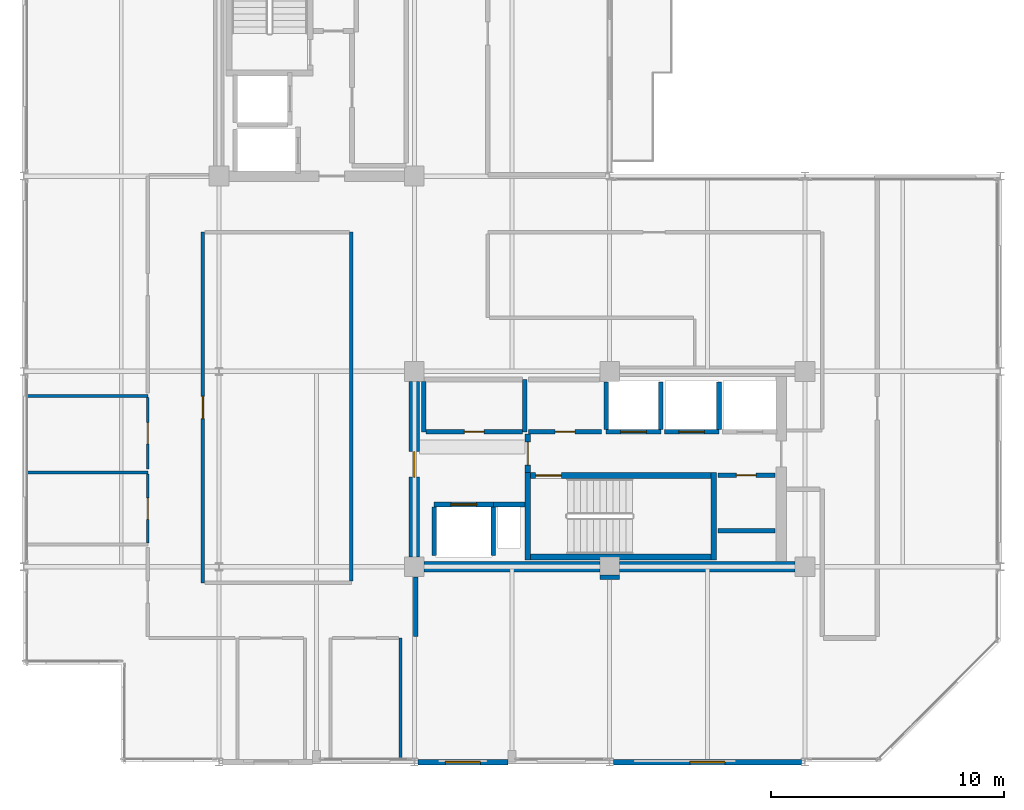
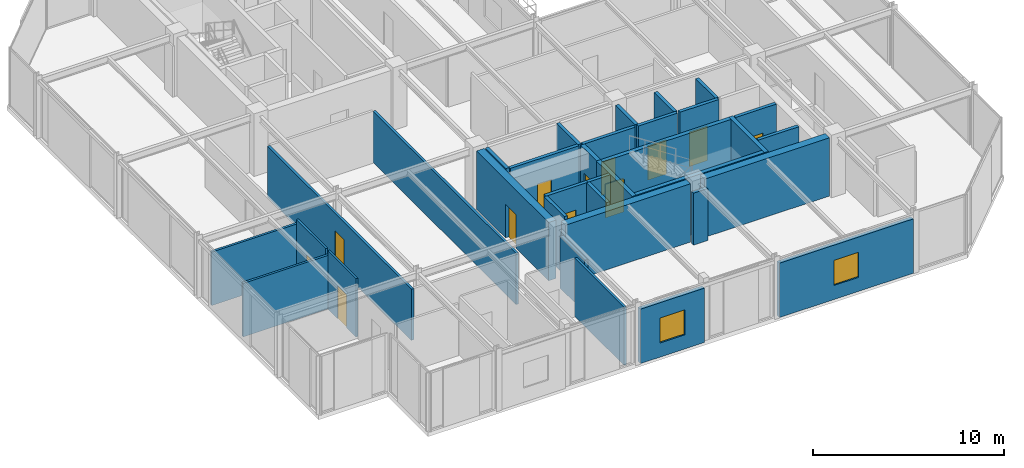
# One storey, part 21 of 26: 34 walls, 12 doors, 2 windows, 14 openings.
"""IFC4 building model written with IfcOpenShell, lengths in metres."""

import ifcopenshell
import ifcopenshell.guid

model = None  # the IFC model being written
_history = None  # IfcOwnerHistory: only IFC2X3 demands one
_inside = {}  # id of a spatial element -> (the spatial element, [elements in it])
_under = {}  # id of a project, library or spatial element -> (it, [spatial elements below it])
_declared = {}  # id of a project -> (the project, [libraries it declares])
_typed = {}  # id of a type object -> (the type object, [elements of that type])
_made_of = {}  # id of a material, layer set ... -> (it, [elements and type objects made of it])


def new_model(schema):
    """Start an empty IFC model of exactly this schema.

    Asked for "IFC4X3", IfcOpenShell would pick the latest addendum, in which some entities
    have other attributes; the version numbers below select the first issue.
    IFC2X3 requires an IfcOwnerHistory on every rooted entity: one is made here for all.
    """
    global model, _history
    if schema == "IFC4X3":
        model = ifcopenshell.file(schema_version=(4, 3, 0, 0))
    else:
        model = ifcopenshell.file(schema=schema)
    _inside.clear()
    _under.clear()
    _declared.clear()
    _typed.clear()
    _made_of.clear()
    _history = None
    if model.schema == "IFC2X3":
        org = make("IfcOrganization", Name="unknown")
        user = make(
            "IfcPersonAndOrganization",
            ThePerson=make("IfcPerson", FamilyName="unknown"),
            TheOrganization=org,
        )
        app = make(
            "IfcApplication",
            ApplicationDeveloper=org,
            Version="unknown",
            ApplicationFullName="unknown",
            ApplicationIdentifier="unknown",
        )
        _history = make(
            "IfcOwnerHistory",
            OwningUser=user,
            OwningApplication=app,
            ChangeAction="ADDED",
            CreationDate=0,
        )
    return model


def make(cls, **values):
    """One entity of the class cls with the attributes given. An attribute that is None is left unset."""
    return model.create_entity(
        cls, **{name: value for name, value in values.items() if value is not None}
    )


def rooted(cls, **values):
    """An entity with a GlobalId (a new one), such as an element, a storey or a relation."""
    return make(cls, GlobalId=ifcopenshell.guid.new(), OwnerHistory=_history, **values)


def si_unit(unit_type, name, prefix=None):
    """IfcSIUnit, for example si_unit("LENGTHUNIT", "METRE", prefix="MILLI")."""
    return make("IfcSIUnit", UnitType=unit_type, Prefix=prefix, Name=name)


def assignment(units):
    """IfcUnitAssignment: the units of a project."""
    return None if units is None else make("IfcUnitAssignment", Units=units)


def point(xyz):
    """IfcCartesianPoint."""
    return None if xyz is None else make("IfcCartesianPoint", Coordinates=xyz)


def direction(xyz):
    """IfcDirection."""
    return None if xyz is None else make("IfcDirection", DirectionRatios=xyz)


def frame(location, z_axis=None, x_axis=None):
    """IfcAxis2Placement3D, a coordinate frame: its origin and axes. An axis left out is left unset."""
    return make(
        "IfcAxis2Placement3D",
        Location=point(location),
        Axis=direction(z_axis),
        RefDirection=direction(x_axis),
    )


def frame_2d(location, x_axis=None):
    """IfcAxis2Placement2D, a coordinate frame in the plane: its origin and x axis."""
    return make(
        "IfcAxis2Placement2D", Location=point(location), RefDirection=direction(x_axis)
    )


def origin():
    """The frame at (0, 0, 0) with its axes left unset."""
    return frame((0.0, 0.0, 0.0))


def place(relative_to, where):
    """IfcLocalPlacement: puts the frame where relative to a parent placement (None: the world)."""
    return make(
        "IfcLocalPlacement", PlacementRelTo=relative_to, RelativePlacement=where
    )


def context(
    kind, dimensions, precision=None, world=None, true_north=None, identifier=None
):
    """IfcGeometricRepresentationContext, for example the 3D "Model" context."""
    return make(
        "IfcGeometricRepresentationContext",
        ContextIdentifier=identifier,
        ContextType=kind,
        CoordinateSpaceDimension=dimensions,
        Precision=precision,
        WorldCoordinateSystem=world,
        TrueNorth=true_north,
    )


def subcontext(parent, identifier, kind, view, scale=None):
    """IfcGeometricRepresentationSubContext, for example "Body" below "Model"."""
    return make(
        "IfcGeometricRepresentationSubContext",
        ContextIdentifier=identifier,
        ContextType=kind,
        ParentContext=parent,
        TargetScale=scale,
        TargetView=view,
    )


def project(units=None, contexts=None):
    """IfcProject with its units and contexts."""
    return rooted(
        "IfcProject",
        Name="project",
        RepresentationContexts=contexts,
        UnitsInContext=assignment(units),
    )


def spatial(cls, under=None, at=None, **own):
    """A site, building, storey or space (cls), placed at a placement, below another one or the project."""
    s = rooted(cls, ObjectPlacement=at, **own)
    if under is not None:
        _under.setdefault(under.id(), (under, []))[1].append(s)
    return s


def profile(cls, at=None, kind="AREA", **sizes):
    """A parametric profile (cls). Its sizes go by their IFC names, for example OverallWidth=200.0."""
    return make(cls, ProfileType=kind, Position=at, **sizes)


def rectangle(**sizes):
    """IfcRectangleProfileDef."""
    return profile("IfcRectangleProfileDef", **sizes)


def extrude(swept, where, along, depth):
    """IfcExtrudedAreaSolid: the profile swept, set in the frame where, extruded along a direction by depth."""
    return make(
        "IfcExtrudedAreaSolid",
        SweptArea=swept,
        Position=where,
        ExtrudedDirection=direction(along),
        Depth=depth,
    )


def shape(context_of_items, identifier, shape_type, items):
    """IfcShapeRepresentation: the items that make up one representation, for example the "Body"."""
    return make(
        "IfcShapeRepresentation",
        ContextOfItems=context_of_items,
        RepresentationIdentifier=identifier,
        RepresentationType=shape_type,
        Items=items,
    )


def material(Name=None, Category=None):
    """IfcMaterial."""
    return make("IfcMaterial", Name=Name, Category=Category)


def layer(
    of_material, thickness, ventilated=None, Name=None, Category=None, Priority=None
):
    """IfcMaterialLayer: one layer of a wall or slab, of a material (None: an air gap)."""
    return make(
        "IfcMaterialLayer",
        Material=of_material,
        LayerThickness=thickness,
        IsVentilated=ventilated,
        Name=Name,
        Category=Category,
        Priority=Priority,
    )


def layer_set(layers, Name=None):
    """IfcMaterialLayerSet."""
    return make("IfcMaterialLayerSet", MaterialLayers=layers, LayerSetName=Name)


def made_of(thing, what):
    """Note that an element or type object is made of a material, layer set ...; save() writes the relation."""
    if what is not None:
        _made_of.setdefault(what.id(), (what, []))[1].append(thing)
    return thing


def type_object(cls, material=None, **own):
    """A type object (cls), such as IfcWallType, which elements share."""
    return made_of(rooted(cls, **own), material)


def element(
    cls,
    number,
    at=None,
    inside=None,
    cuts=None,
    type_object=None,
    material=None,
    context=None,
    identifier="Body",
    shape_type=None,
    held_by="IfcProductDefinitionShape",
    body=None,
    shapes=None,
    **own,
):
    """One element of the class cls, such as IfcWall. Its Tag is "e" and its number.

    at: its placement. inside: the storey or other place that contains it. cuts: it is an
    opening in that element (IfcRelVoidsElement). A single representation is given by context,
    identifier, shape_type and body (its items); several are given by shapes. held_by: the class
    of the entity that holds the representations. save() writes the other relations.
    """
    e = rooted(cls, Tag="e%d" % number, ObjectPlacement=at, **own)
    if body is not None:
        shapes = [shape(context, identifier, shape_type, body)]
    if shapes is not None:
        e.Representation = make(held_by, Representations=shapes)
    if inside is not None:
        _inside.setdefault(inside.id(), (inside, []))[1].append(e)
    if cuts is not None:
        rooted(
            "IfcRelVoidsElement", RelatingBuildingElement=cuts, RelatedOpeningElement=e
        )
    if type_object is not None:
        _typed.setdefault(type_object.id(), (type_object, []))[1].append(e)
    return made_of(e, material)


def fill(opening, filler):
    """IfcRelFillsElement: the door or window that sits in an opening."""
    return rooted(
        "IfcRelFillsElement",
        RelatingOpeningElement=opening,
        RelatedBuildingElement=filler,
    )


def aggregate(whole, parts):
    """IfcRelAggregates: a whole, such as a stair, and the parts it consists of."""
    return rooted("IfcRelAggregates", RelatingObject=whole, RelatedObjects=parts)


def save(model, path):
    """Write the relations noted so far, then the file.

    IfcRelAggregates (storeys below a building ...), IfcRelContainedInSpatialStructure (elements
    in a storey), IfcRelDefinesByType, IfcRelAssociatesMaterial and IfcRelDeclares: one each for
    every whole, place, type object, material and project.
    """
    for whole, parts in _under.values():
        aggregate(whole, parts)
    for where, things in _inside.values():
        rooted(
            "IfcRelContainedInSpatialStructure",
            RelatedElements=things,
            RelatingStructure=where,
        )
    for kind, things in _typed.values():
        rooted("IfcRelDefinesByType", RelatedObjects=things, RelatingType=kind)
    for what, things in _made_of.values():
        rooted("IfcRelAssociatesMaterial", RelatedObjects=things, RelatingMaterial=what)
    for by, libraries in _declared.values():
        rooted("IfcRelDeclares", RelatingContext=by, RelatedDefinitions=libraries)
    model.write(path)


model = new_model("IFC4")

# Units and contexts
model_context = context("Model", 3, precision=1e-05, world=origin(), true_north=direction((0.0, 1.0)))
body_context = subcontext(model_context, "Body", "Model", "MODEL_VIEW")
ifc_project = project(units=[si_unit("LENGTHUNIT", "METRE"), si_unit("AREAUNIT", "SQUARE_METRE"), si_unit("VOLUMEUNIT", "CUBIC_METRE"), si_unit("PLANEANGLEUNIT", "RADIAN"), si_unit("MASSUNIT", "GRAM", prefix="KILO")], contexts=[model_context])

# Site, building, storey
site_placement = place(None, origin())
site = spatial("IfcSite", under=ifc_project, at=site_placement, CompositionType="ELEMENT")
building_placement = place(site_placement, origin())
building = spatial("IfcBuilding", under=site, at=building_placement, Name="Nerrivon Quay Data Exchange", CompositionType="ELEMENT")
storey_placement = place(building_placement, frame((0.0, 0.0, 274.199951171875)))
storey = spatial("IfcBuildingStorey", under=building, at=storey_placement, Name="L65", CompositionType="ELEMENT", Elevation=274.199951171875)

# Wall, opening, window
ifc_material_1 = material(Name="Architectural terracotta precast concrete N50 (50 MPa)", Category="masonry")
ifc_layer_1 = layer(ifc_material_1, 0.239990234375)
ifc_layer_set_1 = layer_set([ifc_layer_1], Name="Architectural terracotta precast concrete N50 (50 MPa)")
wall_type_1 = type_object("IfcWallType", Name="EW-PREC-240", PredefinedType="STANDARD", material=ifc_layer_set_1)
wall_1_placement = place(storey_placement, frame((33.444580078125, 0.0, 0.0), z_axis=(0.0, 0.0, 1.0), x_axis=(-1.0, 0.0, 0.0)))
wall_1 = element("IfcWall", 1, at=wall_1_placement, inside=storey, type_object=wall_type_1, Name="L65 Podium Precast Spandrel Wall 3", PredefinedType="STANDARD", context=body_context, shape_type="SweptSolid", body=[
    extrude(rectangle(XDim=8.089111328125, YDim=0.239990234375, at=frame_2d((4.04443359375, 0.0))), origin(), (0.0, 0.0, 1.0), 3.47509765625),
])
opening_1_placement = place(wall_1_placement, frame((3.29443359375, 0.0, 0.89990234375)))
opening_1 = element("IfcOpeningElement", 2, at=opening_1_placement, cuts=wall_1, Name="Opening WN4", PredefinedType="OPENING", context=body_context, shape_type="SweptSolid", body=[
    extrude(rectangle(XDim=1.5, YDim=1.60009765625, at=frame_2d((0.75, 0.800048828125))), frame((0.0, 0.1298828125, 0.0), z_axis=(0.0, -1.0, 0.0), x_axis=(1.0, 0.0, 0.0)), (0.0, 0.0, 1.0), 0.260009765625),
])
ifc_material_2 = material(Name="Double-glazed low-E solar control glass", Category="glass")
window_type = type_object("IfcWindowType", Name="WIN-W4-1500x1600", PartitioningType="SINGLE_PANEL", PredefinedType="WINDOW", material=ifc_material_2)
window_1_placement = place(opening_1_placement, origin())
window_1 = element("IfcWindow", 3, at=window_1_placement, inside=storey, type_object=window_type, Name="L65 Solar Facade Window 3", OverallHeight=1.60009765625, OverallWidth=1.5, PartitioningType="SINGLE_PANEL", PredefinedType="WINDOW", context=body_context, shape_type="SweptSolid", body=[
    extrude(rectangle(XDim=1.5, YDim=1.60009765625, at=frame_2d((0.75, 0.800048828125))), frame((0.0, 0.030029296875, 0.0), z_axis=(0.0, -1.0, 0.0), x_axis=(1.0, 0.0, 0.0)), (0.0, 0.0, 1.0), 0.06005859375),
])
fill(opening_1, window_1)

wall_2_placement = place(storey_placement, frame((20.824951171875, 0.0, 0.0), z_axis=(0.0, 0.0, 1.0), x_axis=(-1.0, 0.0, 0.0)))
wall_2 = element("IfcWall", 4, at=wall_2_placement, inside=storey, type_object=wall_type_1, Name="L65 Podium Precast Spandrel Wall 5", PredefinedType="STANDARD", context=body_context, shape_type="SweptSolid", body=[
    extrude(rectangle(XDim=3.869384765625, YDim=0.239990234375, at=frame_2d((1.9345703125, 0.0))), origin(), (0.0, 0.0, 1.0), 3.47509765625),
])
opening_2_placement = place(wall_2_placement, frame((1.184814453125, 0.0, 0.89990234375)))
opening_2 = element("IfcOpeningElement", 5, at=opening_2_placement, cuts=wall_2, Name="Opening WN4", PredefinedType="OPENING", context=body_context, shape_type="SweptSolid", body=[
    extrude(rectangle(XDim=1.5, YDim=1.60009765625, at=frame_2d((0.75, 0.800048828125))), frame((0.0, 0.1298828125, 0.0), z_axis=(0.0, -1.0, 0.0), x_axis=(1.0, 0.0, 0.0)), (0.0, 0.0, 1.0), 0.260009765625),
])
window_2_placement = place(opening_2_placement, origin())
window_2 = element("IfcWindow", 6, at=window_2_placement, inside=storey, type_object=window_type, Name="L65 Solar Facade Window 5", OverallHeight=1.60009765625, OverallWidth=1.5, PartitioningType="SINGLE_PANEL", PredefinedType="WINDOW", context=body_context, shape_type="SweptSolid", body=[
    extrude(rectangle(XDim=1.5, YDim=1.60009765625, at=frame_2d((0.75, 0.800048828125))), frame((0.0, 0.030029296875, 0.0), z_axis=(0.0, -1.0, 0.0), x_axis=(1.0, 0.0, 0.0)), (0.0, 0.0, 1.0), 0.06005859375),
])
fill(opening_2, window_2)

# Walls
ifc_material_3 = material(Name="Concrete N50 (50 MPa)", Category="concrete")
ifc_layer_2 = layer(ifc_material_3, 0.449951171875)
ifc_layer_set_2 = layer_set([ifc_layer_2], Name="Concrete N50 (50 MPa)")
wall_type_2 = type_object("IfcWallType", Name="WALL-CW-550", PredefinedType="SHEAR", material=ifc_layer_set_2)
wall_3_placement = place(storey_placement, frame((17.22509765625, 8.39990234375, 0.0), z_axis=(0.0, 0.0, 1.0), x_axis=(1.0, 0.0, 0.0)))
element("IfcWall", 7, at=wall_3_placement, inside=storey, type_object=wall_type_2, Name="L65 East Split-Core Shear Wall ECW-S1", PredefinedType="SHEAR", context=body_context, shape_type="SweptSolid", body=[
    extrude(rectangle(XDim=7.5498046875, YDim=0.449951171875, at=frame_2d((3.77490234375, 0.0))), origin(), (0.0, 0.0, 1.0), 3.72509765625),
])
wall_4_placement = place(storey_placement, frame((25.625, 8.39990234375, 0.0), z_axis=(0.0, 0.0, 1.0), x_axis=(1.0, 0.0, 0.0)))
element("IfcWall", 8, at=wall_4_placement, inside=storey, type_object=wall_type_2, Name="L65 East Split-Core Shear Wall ECW-S2", PredefinedType="SHEAR", context=body_context, shape_type="SweptSolid", body=[
    extrude(rectangle(XDim=7.550048828125, YDim=0.449951171875, at=frame_2d((3.77490234375, 0.0))), origin(), (0.0, 0.0, 1.0), 3.72509765625),
])

# Wall, opening, door
wall_5_placement = place(storey_placement, frame((16.800048828125, 8.824951171875, 0.0), z_axis=(0.0, 0.0, 1.0), x_axis=(0.0, 1.0, 0.0)))
wall_5 = element("IfcWall", 9, at=wall_5_placement, inside=storey, type_object=wall_type_2, Name="L65 East Split-Core Shear Wall ECW-W1", PredefinedType="SHEAR", context=body_context, shape_type="SweptSolid", body=[
    extrude(rectangle(XDim=7.550048828125, YDim=0.449951171875, at=frame_2d((3.77490234375, 0.0))), origin(), (0.0, 0.0, 1.0), 3.72509765625),
])
opening_3_placement = place(wall_5_placement, frame((3.425048828125, 0.0, 0.0)))
opening_3 = element("IfcOpeningElement", 10, at=opening_3_placement, cuts=wall_5, Name="Opening FD-120", PredefinedType="OPENING", context=body_context, shape_type="SweptSolid", body=[
    extrude(rectangle(XDim=1.10009765625, YDim=2.14990234375, at=frame_2d((0.550048828125, 1.074951171875))), frame((0.0, 0.23486328125, 0.0), z_axis=(0.0, -1.0, 0.0), x_axis=(1.0, 0.0, 0.0)), (0.0, 0.0, 1.0), 0.469970703125),
])
ifc_material_4 = material(Name="Powder-coated galvanized steel sheet", Category="steel")
door_type_1 = type_object("IfcDoorType", Name="DR-FD120-1100", OperationType="NOTDEFINED", PredefinedType="DOOR", material=ifc_material_4)
door_1_placement = place(opening_3_placement, origin())
door_1 = element("IfcDoor", 11, at=door_1_placement, inside=storey, type_object=door_type_1, Name="L65 East Core Lobby Fire Door", OperationType="SINGLE_SWING_RIGHT", OverallHeight=2.14990234375, OverallWidth=1.10009765625, PredefinedType="DOOR", context=body_context, shape_type="SweptSolid", body=[
    extrude(rectangle(XDim=1.10009765625, YDim=2.14990234375, at=frame_2d((0.550048828125, 1.074951171875))), frame((0.0, 0.02490234375, 0.0), z_axis=(0.0, -1.0, 0.0), x_axis=(1.0, 0.0, 0.0)), (0.0, 0.0, 1.0), 0.050048828125),
])
fill(opening_3, door_1)

# Wall
ifc_material_5 = material(Name="Gypsum plasterboard on cold-formed framing", Category="gypsum")
ifc_layer_3 = layer(ifc_material_5, 0.199951171875)
ifc_layer_set_3 = layer_set([ifc_layer_3], Name="Gypsum plasterboard on cold-formed framing")
wall_type_3 = type_object("IfcWallType", Name="WALL-FW-200", PredefinedType="PARTITIONING", material=ifc_layer_set_3)
wall_6_placement = place(storey_placement, frame((20.199951171875, 11.080078125, 0.0), z_axis=(0.0, 0.0, 1.0), x_axis=(1.0, 0.0, 0.0)))
element("IfcWall", 12, at=wall_6_placement, inside=storey, type_object=wall_type_3, Name="L65 East Core MEP Riser Shaft Wall N", PredefinedType="PARTITIONING", context=body_context, shape_type="SweptSolid", body=[
    extrude(rectangle(XDim=1.35009765625, YDim=0.199951171875, at=frame_2d((0.675048828125, 0.0))), origin(), (0.0, 0.0, 1.0), 3.72509765625),
])

# Wall, opening, door
wall_7_placement = place(storey_placement, frame((17.64990234375, 11.080078125, 0.0), z_axis=(0.0, 0.0, 1.0), x_axis=(1.0, 0.0, 0.0)))
wall_7 = element("IfcWall", 13, at=wall_7_placement, inside=storey, type_object=wall_type_3, Name="L65 Lift Front Wall FFL-2", PredefinedType="PARTITIONING", context=body_context, shape_type="SweptSolid", body=[
    extrude(rectangle(XDim=2.550048828125, YDim=0.199951171875, at=frame_2d((1.27490234375, 0.0))), origin(), (0.0, 0.0, 1.0), 3.72509765625),
])
opening_4_placement = place(wall_7_placement, frame((0.72509765625, 0.0, 0.0)))
opening_4 = element("IfcOpeningElement", 14, at=opening_4_placement, cuts=wall_7, Name="Opening LD-120", PredefinedType="OPENING", context=body_context, shape_type="SweptSolid", body=[
    extrude(rectangle(XDim=1.10009765625, YDim=2.199951171875, at=frame_2d((0.550048828125, 1.10009765625))), frame((0.0, 0.10986328125, 0.0), z_axis=(0.0, -1.0, 0.0), x_axis=(1.0, 0.0, 0.0)), (0.0, 0.0, 1.0), 0.219970703125),
])
door_type_2 = type_object("IfcDoorType", Name="DR-LIFT-LD120", OperationType="DOUBLE_DOOR_SLIDING", PredefinedType="DOOR", material=ifc_material_4)
door_2_placement = place(opening_4_placement, origin())
door_2 = element("IfcDoor", 15, at=door_2_placement, inside=storey, type_object=door_type_2, Name="L65 Lift Landing Sliding Door FFL-2", OperationType="DOUBLE_DOOR_SLIDING", OverallHeight=2.199951171875, OverallWidth=1.10009765625, PredefinedType="DOOR", context=body_context, shape_type="SweptSolid", body=[
    extrude(rectangle(XDim=1.10009765625, YDim=2.199951171875, at=frame_2d((0.550048828125, 1.10009765625))), frame((0.0, 0.02490234375, 0.0), z_axis=(0.0, -1.0, 0.0), x_axis=(1.0, 0.0, 0.0)), (0.0, 0.0, 1.0), 0.050048828125),
])
fill(opening_4, door_2)

# Walls
for number, where, z_axis, x_axis, name in (
    (16, (20.199951171875, 8.8798828125, 0.0), (0.0, 0.0, 1.0), (0.0, 1.0, 0.0), "L65 Lift Shaft Wall FFL-2 EAST"),
    (17, (17.64990234375, 8.8798828125, 0.0), (0.0, 0.0, 1.0), (0.0, 1.0, 0.0), "L65 Lift Shaft Wall FFL-2 WEST"),
):
    element("IfcWall", number, at=place(storey_placement, frame(where, z_axis=z_axis, x_axis=x_axis)), inside=storey, type_object=wall_type_3, Name=name, PredefinedType="PARTITIONING", context=body_context, shape_type="SweptSolid", body=[
        extrude(rectangle(XDim=2.10009765625, YDim=0.199951171875, at=frame_2d((1.050048828125, 0.0))), origin(), (0.0, 0.0, 1.0), 3.72509765625),
    ])

# Wall, opening, door
wall_8_placement = place(storey_placement, frame((25.050048828125, 14.199951171875, 0.0), z_axis=(0.0, 0.0, 1.0), x_axis=(1.0, 0.0, 0.0)))
wall_8 = element("IfcWall", 18, at=wall_8_placement, inside=storey, type_object=wall_type_3, Name="L65 Lift Front Wall PL7", PredefinedType="PARTITIONING", context=body_context, shape_type="SweptSolid", body=[
    extrude(rectangle(XDim=2.349853515625, YDim=0.199951171875, at=frame_2d((1.1748046875, 0.0))), origin(), (0.0, 0.0, 1.0), 3.72509765625),
])
opening_5_placement = place(wall_8_placement, frame((0.625, 0.0, 0.0)))
opening_5 = element("IfcOpeningElement", 19, at=opening_5_placement, cuts=wall_8, Name="Opening LD-120", PredefinedType="OPENING", context=body_context, shape_type="SweptSolid", body=[
    extrude(rectangle(XDim=1.10009765625, YDim=2.199951171875, at=frame_2d((0.550048828125, 1.10009765625))), frame((0.0, 0.10986328125, 0.0), z_axis=(0.0, -1.0, 0.0), x_axis=(1.0, 0.0, 0.0)), (0.0, 0.0, 1.0), 0.219970703125),
])
door_3_placement = place(opening_5_placement, origin())
door_3 = element("IfcDoor", 20, at=door_3_placement, inside=storey, type_object=door_type_2, Name="L65 Lift Landing Sliding Door PL7", OperationType="DOUBLE_DOOR_SLIDING", OverallHeight=2.199951171875, OverallWidth=1.10009765625, PredefinedType="DOOR", context=body_context, shape_type="SweptSolid", body=[
    extrude(rectangle(XDim=1.10009765625, YDim=2.199951171875, at=frame_2d((0.550048828125, 1.10009765625))), frame((0.0, 0.02490234375, 0.0), z_axis=(0.0, -1.0, 0.0), x_axis=(1.0, 0.0, 0.0)), (0.0, 0.0, 1.0), 0.050048828125),
])
fill(opening_5, door_3)

# Walls
for number, where, z_axis, x_axis, name in (
    (21, (27.39990234375, 14.300048828125, 0.0), (0.0, 0.0, 1.0), (0.0, 1.0, 0.0), "L65 Lift Shaft Wall PL7 EAST"),
    (22, (25.050048828125, 14.300048828125, 0.0), (0.0, 0.0, 1.0), (0.0, 1.0, 0.0), "L65 Lift Shaft Wall PL7 WEST"),
):
    element("IfcWall", number, at=place(storey_placement, frame(where, z_axis=z_axis, x_axis=x_axis)), inside=storey, type_object=wall_type_3, Name=name, PredefinedType="PARTITIONING", context=body_context, shape_type="SweptSolid", body=[
        extrude(rectangle(XDim=2.050048828125, YDim=0.199951171875, at=frame_2d((1.02490234375, 0.0))), origin(), (0.0, 0.0, 1.0), 3.72509765625),
    ])

# Wall, opening, door
wall_9_placement = place(storey_placement, frame((27.550048828125, 14.199951171875, 0.0), z_axis=(0.0, 0.0, 1.0), x_axis=(1.0, 0.0, 0.0)))
wall_9 = element("IfcWall", 23, at=wall_9_placement, inside=storey, type_object=wall_type_3, Name="L65 Lift Front Wall PL8", PredefinedType="PARTITIONING", context=body_context, shape_type="SweptSolid", body=[
    extrude(rectangle(XDim=2.349853515625, YDim=0.199951171875, at=frame_2d((1.1748046875, 0.0))), origin(), (0.0, 0.0, 1.0), 3.72509765625),
])
opening_6_placement = place(wall_9_placement, frame((0.625, 0.0, 0.0)))
opening_6 = element("IfcOpeningElement", 24, at=opening_6_placement, cuts=wall_9, Name="Opening LD-120", PredefinedType="OPENING", context=body_context, shape_type="SweptSolid", body=[
    extrude(rectangle(XDim=1.10009765625, YDim=2.199951171875, at=frame_2d((0.550048828125, 1.10009765625))), frame((0.0, 0.10986328125, 0.0), z_axis=(0.0, -1.0, 0.0), x_axis=(1.0, 0.0, 0.0)), (0.0, 0.0, 1.0), 0.219970703125),
])
door_4_placement = place(opening_6_placement, origin())
door_4 = element("IfcDoor", 25, at=door_4_placement, inside=storey, type_object=door_type_2, Name="L65 Lift Landing Sliding Door PL8", OperationType="DOUBLE_DOOR_SLIDING", OverallHeight=2.199951171875, OverallWidth=1.10009765625, PredefinedType="DOOR", context=body_context, shape_type="SweptSolid", body=[
    extrude(rectangle(XDim=1.10009765625, YDim=2.199951171875, at=frame_2d((0.550048828125, 1.10009765625))), frame((0.0, 0.02490234375, 0.0), z_axis=(0.0, -1.0, 0.0), x_axis=(1.0, 0.0, 0.0)), (0.0, 0.0, 1.0), 0.050048828125),
])
fill(opening_6, door_4)

# Walls
wall_10_placement = place(storey_placement, frame((29.89990234375, 14.300048828125, 0.0), z_axis=(0.0, 0.0, 1.0), x_axis=(0.0, 1.0, 0.0)))
element("IfcWall", 26, at=wall_10_placement, inside=storey, type_object=wall_type_3, Name="L65 Lift Shaft Wall PL8 EAST", PredefinedType="PARTITIONING", context=body_context, shape_type="SweptSolid", body=[
    extrude(rectangle(XDim=2.050048828125, YDim=0.199951171875, at=frame_2d((1.02490234375, 0.0))), origin(), (0.0, 0.0, 1.0), 3.72509765625),
])
wall_11_placement = place(storey_placement, frame((21.550048828125, 14.199951171875, 0.0), z_axis=(0.0, 0.0, 1.0), x_axis=(0.0, 1.0, 0.0)))
element("IfcWall", 27, at=wall_11_placement, inside=storey, type_object=wall_type_3, Name="L65 Partition High-Zone Calibration Store", PredefinedType="PARTITIONING", context=body_context, shape_type="SweptSolid", body=[
    extrude(rectangle(XDim=2.25, YDim=0.199951171875, at=frame_2d((1.125, 0.0))), origin(), (0.0, 0.0, 1.0), 3.72509765625),
])
wall_12_placement = place(storey_placement, frame((17.199951171875, 16.3701171875, 0.0), z_axis=(0.0, 0.0, 1.0), x_axis=(0.0, -1.0, 0.0)))
element("IfcWall", 28, at=wall_12_placement, inside=storey, type_object=wall_type_3, Name="L65 Partition High-Zone Calibration Store", PredefinedType="PARTITIONING", context=body_context, shape_type="SweptSolid", body=[
    extrude(rectangle(XDim=2.170166015625, YDim=0.199951171875, at=frame_2d((1.0849609375, 0.0))), origin(), (0.0, 0.0, 1.0), 3.72509765625),
])

# Wall, opening, door
wall_13_placement = place(storey_placement, frame((17.303955078125, 14.199951171875, 0.0), z_axis=(0.0, 0.0, 1.0), x_axis=(1.0, 0.0, 0.0)))
wall_13 = element("IfcWall", 29, at=wall_13_placement, inside=storey, type_object=wall_type_3, Name="L65 Partition High-Zone Calibration Store", PredefinedType="PARTITIONING", context=body_context, shape_type="SweptSolid", body=[
    extrude(rectangle(XDim=4.14208984375, YDim=0.199951171875, at=frame_2d((2.071044921875, 0.0))), origin(), (0.0, 0.0, 1.0), 3.72509765625),
])
opening_7_placement = place(wall_13_placement, frame((1.64599609375, 0.0, 0.0)))
opening_7 = element("IfcOpeningElement", 30, at=opening_7_placement, cuts=wall_13, Name="Opening FD-60S", PredefinedType="OPENING", context=body_context, shape_type="SweptSolid", body=[
    extrude(rectangle(XDim=0.85009765625, YDim=2.14990234375, at=frame_2d((0.425048828125, 1.074951171875))), frame((0.0, 0.10986328125, 0.0), z_axis=(0.0, -1.0, 0.0), x_axis=(1.0, 0.0, 0.0)), (0.0, 0.0, 1.0), 0.219970703125),
])
ifc_material_6 = material(Name="Engineered hardwood timber", Category="wood")
door_type_3 = type_object("IfcDoorType", Name="DR-FD60-850", OperationType="NOTDEFINED", PredefinedType="DOOR", material=ifc_material_6)
door_5_placement = place(opening_7_placement, origin())
door_5 = element("IfcDoor", 31, at=door_5_placement, inside=storey, type_object=door_type_3, Name="L65 Door High-Zone Calibration Store", OperationType="SINGLE_SWING_LEFT", OverallHeight=2.14990234375, OverallWidth=0.85009765625, PredefinedType="DOOR", context=body_context, shape_type="SweptSolid", body=[
    extrude(rectangle(XDim=0.85009765625, YDim=2.14990234375, at=frame_2d((0.425048828125, 1.074951171875))), frame((0.0, 0.02490234375, 0.0), z_axis=(0.0, -1.0, 0.0), x_axis=(1.0, 0.0, 0.0)), (0.0, 0.0, 1.0), 0.050048828125),
])
fill(opening_7, door_5)

wall_14_placement = place(storey_placement, frame((21.699951171875, 14.199951171875, 0.0), z_axis=(0.0, 0.0, 1.0), x_axis=(1.0, 0.0, 0.0)))
wall_14 = element("IfcWall", 32, at=wall_14_placement, inside=storey, type_object=wall_type_3, Name="L65 Partition High-Zone Network Closet", PredefinedType="PARTITIONING", context=body_context, shape_type="SweptSolid", body=[
    extrude(rectangle(XDim=3.150146484375, YDim=0.199951171875, at=frame_2d((1.5751953125, 0.0))), origin(), (0.0, 0.0, 1.0), 3.72509765625),
])
opening_8_placement = place(wall_14_placement, frame((1.14990234375, 0.0, 0.0)))
opening_8 = element("IfcOpeningElement", 33, at=opening_8_placement, cuts=wall_14, Name="Opening FD-60S", PredefinedType="OPENING", context=body_context, shape_type="SweptSolid", body=[
    extrude(rectangle(XDim=0.85009765625, YDim=2.14990234375, at=frame_2d((0.425048828125, 1.074951171875))), frame((0.0, 0.10986328125, 0.0), z_axis=(0.0, -1.0, 0.0), x_axis=(1.0, 0.0, 0.0)), (0.0, 0.0, 1.0), 0.219970703125),
])
door_6_placement = place(opening_8_placement, origin())
door_6 = element("IfcDoor", 34, at=door_6_placement, inside=storey, type_object=door_type_3, Name="L65 Door High-Zone Network Closet", OperationType="SINGLE_SWING_RIGHT", OverallHeight=2.14990234375, OverallWidth=0.85009765625, PredefinedType="DOOR", context=body_context, shape_type="SweptSolid", body=[
    extrude(rectangle(XDim=0.85009765625, YDim=2.14990234375, at=frame_2d((0.425048828125, 1.074951171875))), frame((0.0, 0.02490234375, 0.0), z_axis=(0.0, -1.0, 0.0), x_axis=(1.0, 0.0, 0.0)), (0.0, 0.0, 1.0), 0.050048828125),
])
fill(opening_8, door_6)

wall_15_placement = place(storey_placement, frame((32.300048828125, 12.330078125, 0.0), z_axis=(0.0, 0.0, 1.0), x_axis=(-1.0, 0.0, 0.0)))
wall_15 = element("IfcWall", 35, at=wall_15_placement, inside=storey, type_object=wall_type_3, Name="L65 Partition East Supply Store", PredefinedType="PARTITIONING", context=body_context, shape_type="SweptSolid", body=[
    extrude(rectangle(XDim=2.449951171875, YDim=0.199951171875, at=frame_2d((1.22509765625, 0.0))), origin(), (0.0, 0.0, 1.0), 3.72509765625),
])
opening_9_placement = place(wall_15_placement, frame((0.800048828125, 0.0, 0.0)))
opening_9 = element("IfcOpeningElement", 36, at=opening_9_placement, cuts=wall_15, Name="Opening FD-60S", PredefinedType="OPENING", context=body_context, shape_type="SweptSolid", body=[
    extrude(rectangle(XDim=0.85009765625, YDim=2.14990234375, at=frame_2d((0.425048828125, 1.074951171875))), frame((0.0, 0.10986328125, 0.0), z_axis=(0.0, -1.0, 0.0), x_axis=(1.0, 0.0, 0.0)), (0.0, 0.0, 1.0), 0.219970703125),
])
door_7_placement = place(opening_9_placement, origin())
door_7 = element("IfcDoor", 37, at=door_7_placement, inside=storey, type_object=door_type_3, Name="L65 Door East Supply Store", OperationType="SINGLE_SWING_LEFT", OverallHeight=2.14990234375, OverallWidth=0.85009765625, PredefinedType="DOOR", context=body_context, shape_type="SweptSolid", body=[
    extrude(rectangle(XDim=0.85009765625, YDim=2.14990234375, at=frame_2d((0.425048828125, 1.074951171875))), frame((0.0, 0.02490234375, 0.0), z_axis=(0.0, -1.0, 0.0), x_axis=(1.0, 0.0, 0.0)), (0.0, 0.0, 1.0), 0.050048828125),
])
fill(opening_9, door_7)

# Walls
wall_16_placement = place(storey_placement, frame((29.85009765625, 9.949951171875, 0.0), z_axis=(0.0, 0.0, 1.0), x_axis=(1.0, 0.0, 0.0)))
element("IfcWall", 38, at=wall_16_placement, inside=storey, type_object=wall_type_3, Name="L65 Partition East Supply Store", PredefinedType="PARTITIONING", context=body_context, shape_type="SweptSolid", body=[
    extrude(rectangle(XDim=2.449951171875, YDim=0.199951171875, at=frame_2d((1.22509765625, 0.0))), origin(), (0.0, 0.0, 1.0), 3.72509765625),
])
wall_17_placement = place(storey_placement, frame((25.630859375, 7.955810546875, 0.0), z_axis=(0.0, 0.0, 1.0), x_axis=(-0.99999963391, -0.000855675671, 0.0)))
element("IfcWall", 39, at=wall_17_placement, inside=storey, type_object=wall_type_3, Name="L65 Partition Colocation Data Workspace 1", PredefinedType="PARTITIONING", context=body_context, shape_type="SweptSolid", body=[
    extrude(rectangle(XDim=0.85595703125, YDim=0.199951171875, at=frame_2d((0.427978515625, 0.0))), origin(), (0.0, 0.0, 1.0), 3.319091796875),
])
wall_18_placement = place(storey_placement, frame((16.860107421875, 7.955078125, 0.0), z_axis=(0.0, 0.0, 1.0), x_axis=(0.0, -1.0, 0.0)))
element("IfcWall", 40, at=wall_18_placement, inside=storey, type_object=wall_type_3, Name="L65 Partition Colocation Data Workspace 1", PredefinedType="PARTITIONING", context=body_context, shape_type="SweptSolid", body=[
    extrude(rectangle(XDim=2.55517578125, YDim=0.199951171875, at=frame_2d((1.277587890625, 0.0))), origin(), (0.0, 0.0, 1.0), 3.319091796875),
])

# Wall, opening, door
ifc_layer_4 = layer(ifc_material_5, 0.1201171875)
ifc_layer_set_4 = layer_set([ifc_layer_4], Name="Gypsum plasterboard on cold-formed framing")
wall_type_4 = type_object("IfcWallType", Name="WALL-PT-120", PredefinedType="PARTITIONING", material=ifc_layer_set_4)
wall_19_placement = place(storey_placement, frame((5.340087890625, 9.42138671875, 0.0), z_axis=(0.0, 0.0, 1.0), x_axis=(0.0, 1.0, 0.0)))
wall_19 = element("IfcWall", 41, at=wall_19_placement, inside=storey, type_object=wall_type_4, Name="L65 Partition Accessible Toilet", PredefinedType="PARTITIONING", context=body_context, shape_type="SweptSolid", body=[
    extrude(rectangle(XDim=2.95703125, YDim=0.1201171875, at=frame_2d((1.478515625, 0.0))), origin(), (0.0, 0.0, 1.0), 3.72509765625),
])
opening_10_placement = place(wall_19_placement, frame((1.0185546875, 0.0, 0.0)))
opening_10 = element("IfcOpeningElement", 42, at=opening_10_placement, cuts=wall_19, Name="Opening D-WC", PredefinedType="OPENING", context=body_context, shape_type="SweptSolid", body=[
    extrude(rectangle(XDim=0.919921875, YDim=2.10009765625, at=frame_2d((0.4599609375, 1.050048828125))), frame((0.0, 0.070068359375, 0.0), z_axis=(0.0, -1.0, 0.0), x_axis=(1.0, 0.0, 0.0)), (0.0, 0.0, 1.0), 0.14013671875),
])
door_type_4 = type_object("IfcDoorType", Name="DR-WC-920", OperationType="NOTDEFINED", PredefinedType="DOOR", material=ifc_material_6)
door_8_placement = place(opening_10_placement, origin())
door_8 = element("IfcDoor", 43, at=door_8_placement, inside=storey, type_object=door_type_4, Name="L65 Door Accessible Toilet", OperationType="SINGLE_SWING_RIGHT", OverallHeight=2.10009765625, OverallWidth=0.919921875, PredefinedType="DOOR", context=body_context, shape_type="SweptSolid", body=[
    extrude(rectangle(XDim=0.919921875, YDim=2.10009765625, at=frame_2d((0.4599609375, 1.050048828125))), frame((0.0, 0.02490234375, 0.0), z_axis=(0.0, -1.0, 0.0), x_axis=(1.0, 0.0, 0.0)), (0.0, 0.0, 1.0), 0.050048828125),
])
fill(opening_10, door_8)

wall_20_placement = place(storey_placement, frame((5.340087890625, 12.60009765625, 0.0), z_axis=(0.0, 0.0, 1.0), x_axis=(0.0, 1.0, 0.0)))
wall_20 = element("IfcWall", 44, at=wall_20_placement, inside=storey, type_object=wall_type_4, Name="L65 Partition Public Washrooms", PredefinedType="PARTITIONING", context=body_context, shape_type="SweptSolid", body=[
    extrude(rectangle(XDim=3.078369140625, YDim=0.1201171875, at=frame_2d((1.5390625, 0.0))), origin(), (0.0, 0.0, 1.0), 3.72509765625),
])
opening_11_placement = place(wall_20_placement, frame((1.079345703125, 0.0, 0.0)))
opening_11 = element("IfcOpeningElement", 45, at=opening_11_placement, cuts=wall_20, Name="Opening D-WC", PredefinedType="OPENING", context=body_context, shape_type="SweptSolid", body=[
    extrude(rectangle(XDim=0.919921875, YDim=2.10009765625, at=frame_2d((0.4599609375, 1.050048828125))), frame((0.0, 0.070068359375, 0.0), z_axis=(0.0, -1.0, 0.0), x_axis=(1.0, 0.0, 0.0)), (0.0, 0.0, 1.0), 0.14013671875),
])
door_9_placement = place(opening_11_placement, origin())
door_9 = element("IfcDoor", 46, at=door_9_placement, inside=storey, type_object=door_type_4, Name="L65 Door Public Washrooms", OperationType="SINGLE_SWING_LEFT", OverallHeight=2.10009765625, OverallWidth=0.919921875, PredefinedType="DOOR", context=body_context, shape_type="SweptSolid", body=[
    extrude(rectangle(XDim=0.919921875, YDim=2.10009765625, at=frame_2d((0.4599609375, 1.050048828125))), frame((0.0, 0.02490234375, 0.0), z_axis=(0.0, -1.0, 0.0), x_axis=(1.0, 0.0, 0.0)), (0.0, 0.0, 1.0), 0.050048828125),
])
fill(opening_11, door_9)

# Walls
ifc_layer_5 = layer(ifc_material_5, 0.135009765625)
ifc_layer_set_5 = layer_set([ifc_layer_5], Name="Gypsum plasterboard on cold-formed framing")
wall_type_5 = type_object("IfcWallType", Name="WALL-PT-135", PredefinedType="PARTITIONING", material=ifc_layer_set_5)
for number, where, z_axis, x_axis, name in (
    (47, (5.340087890625, 12.449951171875, 0.0), (0.0, 0.0, 1.0), (-1.0, 0.0, 0.0), "L65 Partition Accessible Toilet"),
    (48, (5.340087890625, 15.75, 0.0), (0.0, 0.0, 1.0), (-1.0, 0.0, 0.0), "L65 Partition Public Washrooms"),
):
    element("IfcWall", number, at=place(storey_placement, frame(where, z_axis=z_axis, x_axis=x_axis)), inside=storey, type_object=wall_type_5, Name=name, PredefinedType="PARTITIONING", context=body_context, shape_type="SweptSolid", body=[
        extrude(rectangle(XDim=5.171142578125, YDim=0.135009765625, at=frame_2d((2.58544921875, 0.0))), origin(), (0.0, 0.0, 1.0), 3.421142578125),
    ])
wall_21_placement = place(storey_placement, frame((16.199951171875, 0.1689453125, 0.0), z_axis=(0.0, 0.0, 1.0), x_axis=(0.0, 1.0, 0.0)))
element("IfcWall", 49, at=wall_21_placement, inside=storey, type_object=wall_type_5, Name="L65 Partition Accessible Unisex Toilet", PredefinedType="PARTITIONING", context=body_context, shape_type="SweptSolid", body=[
    extrude(rectangle(XDim=5.171142578125, YDim=0.135009765625, at=frame_2d((2.58544921875, 0.0))), origin(), (0.0, 0.0, 1.0), 3.72509765625),
])

# Wall, opening, door
ifc_layer_6 = layer(ifc_material_5, 0.14990234375)
ifc_layer_set_6 = layer_set([ifc_layer_6], Name="Gypsum plasterboard on cold-formed framing")
wall_type_6 = type_object("IfcWallType", Name="WALL-PT-150", PredefinedType="PARTITIONING", material=ifc_layer_set_6)
wall_22_placement = place(storey_placement, frame((7.7099609375, 22.7900390625, 0.0), z_axis=(0.0, 0.0, 1.0), x_axis=(0.0, -1.0, 0.0)))
wall_22 = element("IfcWall", 50, at=wall_22_placement, inside=storey, type_object=wall_type_6, Name="L65 Partition Staff Bistro", PredefinedType="PARTITIONING", context=body_context, shape_type="SweptSolid", body=[
    extrude(rectangle(XDim=15.080078125, YDim=0.14990234375, at=frame_2d((7.5400390625, 0.0))), origin(), (0.0, 0.0, 1.0), 3.27099609375),
])
opening_12_placement = place(wall_22_placement, frame((7.06494140625, 0.0, 0.0)))
opening_12 = element("IfcOpeningElement", 51, at=opening_12_placement, cuts=wall_22, Name="Opening D-01", PredefinedType="OPENING", context=body_context, shape_type="SweptSolid", body=[
    extrude(rectangle(XDim=0.949951171875, YDim=2.14990234375, at=frame_2d((0.47509765625, 1.074951171875))), frame((0.0, 0.0849609375, 0.0), z_axis=(0.0, -1.0, 0.0), x_axis=(1.0, 0.0, 0.0)), (0.0, 0.0, 1.0), 0.169921875),
])
door_type_5 = type_object("IfcDoorType", Name="DR-INT-950", OperationType="NOTDEFINED", PredefinedType="DOOR", material=ifc_material_6)
door_10_placement = place(opening_12_placement, origin())
door_10 = element("IfcDoor", 52, at=door_10_placement, inside=storey, type_object=door_type_5, Name="L65 Door Staff Bistro", OperationType="SINGLE_SWING_RIGHT", OverallHeight=2.14990234375, OverallWidth=0.949951171875, PredefinedType="DOOR", context=body_context, shape_type="SweptSolid", body=[
    extrude(rectangle(XDim=0.949951171875, YDim=2.14990234375, at=frame_2d((0.47509765625, 1.074951171875))), frame((0.0, 0.02490234375, 0.0), z_axis=(0.0, -1.0, 0.0), x_axis=(1.0, 0.0, 0.0)), (0.0, 0.0, 1.0), 0.050048828125),
])
fill(opening_12, door_10)

# Walls
wall_23_placement = place(storey_placement, frame((14.090087890625, 7.7890625, 0.0), z_axis=(0.0, 0.0, 1.0), x_axis=(0.0, 1.0, 0.0)))
element("IfcWall", 53, at=wall_23_placement, inside=storey, type_object=wall_type_6, Name="L65 Partition Staff Bistro", PredefinedType="PARTITIONING", context=body_context, shape_type="SweptSolid", body=[
    extrude(rectangle(XDim=15.0009765625, YDim=0.14990234375, at=frame_2d((7.50048828125, 0.0))), origin(), (0.0, 0.0, 1.0), 3.27099609375),
])
ifc_layer_7 = layer(ifc_material_3, 0.25)
ifc_layer_set_7 = layer_set([ifc_layer_7], Name="Concrete N50 (50 MPa)")
wall_type_7 = type_object("IfcWallType", Name="WALL-SW-250", PredefinedType="SHEAR", material=ifc_layer_set_7)
for number, where, z_axis, x_axis, name in (
    (54, (21.675048828125, 8.699951171875, 0.0), (0.0, 0.0, 1.0), (0.0, 1.0, 0.0), "L65 ST02 Structural Stair Core Wall NEAR"),
    (55, (29.675048828125, 8.699951171875, 0.0), (0.0, 0.0, 1.0), (0.0, 1.0, 0.0), "L65 ST02 Structural Stair Core Wall FAR"),
):
    element("IfcWall", number, at=place(storey_placement, frame(where, z_axis=z_axis, x_axis=x_axis)), inside=storey, type_object=wall_type_7, Name=name, PredefinedType="SHEAR", context=body_context, shape_type="SweptSolid", body=[
        extrude(rectangle(XDim=3.75, YDim=0.25, at=frame_2d((1.875, 0.0))), origin(), (0.0, 0.0, 1.0), 3.72509765625),
    ])
wall_24_placement = place(storey_placement, frame((21.800048828125, 8.824951171875, 0.0), z_axis=(0.0, 0.0, 1.0), x_axis=(1.0, 0.0, 0.0)))
element("IfcWall", 56, at=wall_24_placement, inside=storey, type_object=wall_type_7, Name="L65 ST02 Structural Stair Core Wall LEFT", PredefinedType="SHEAR", context=body_context, shape_type="SweptSolid", body=[
    extrude(rectangle(XDim=7.75, YDim=0.25, at=frame_2d((3.875, 0.0))), origin(), (0.0, 0.0, 1.0), 3.72509765625),
])

# Wall, opening, door
wall_25_placement = place(storey_placement, frame((21.800048828125, 12.324951171875, 0.0), z_axis=(0.0, 0.0, 1.0), x_axis=(1.0, 0.0, 0.0)))
wall_25 = element("IfcWall", 57, at=wall_25_placement, inside=storey, type_object=wall_type_7, Name="L65 ST02 Structural Stair Core Wall RIGHT", PredefinedType="SHEAR", context=body_context, shape_type="SweptSolid", body=[
    extrude(rectangle(XDim=7.75, YDim=0.25, at=frame_2d((3.875, 0.0))), origin(), (0.0, 0.0, 1.0), 3.72509765625),
])
opening_13_placement = place(wall_25_placement, frame((0.219970703125, 0.0, 0.0)))
opening_13 = element("IfcOpeningElement", 58, at=opening_13_placement, cuts=wall_25, Name="Opening FD-120", PredefinedType="OPENING", context=body_context, shape_type="SweptSolid", body=[
    extrude(rectangle(XDim=1.10009765625, YDim=2.14990234375, at=frame_2d((0.550048828125, 1.074951171875))), frame((0.0, 0.135009765625, 0.0), z_axis=(0.0, -1.0, 0.0), x_axis=(1.0, 0.0, 0.0)), (0.0, 0.0, 1.0), 0.27001953125),
])
door_11_placement = place(opening_13_placement, origin())
door_11 = element("IfcDoor", 59, at=door_11_placement, inside=storey, type_object=door_type_1, Name="L65 Protected Stair Door ST02", OperationType="SINGLE_SWING_RIGHT", OverallHeight=2.14990234375, OverallWidth=1.10009765625, PredefinedType="DOOR", context=body_context, shape_type="SweptSolid", body=[
    extrude(rectangle(XDim=1.10009765625, YDim=2.14990234375, at=frame_2d((0.550048828125, 1.074951171875))), frame((0.0, 0.02490234375, 0.0), z_axis=(0.0, -1.0, 0.0), x_axis=(1.0, 0.0, 0.0)), (0.0, 0.0, 1.0), 0.050048828125),
])
fill(opening_13, door_11)

wall_26_placement = place(storey_placement, frame((21.679931640625, 12.449951171875, 0.0), z_axis=(0.0, 0.0, 1.0), x_axis=(0.0, 1.0, 0.0)))
wall_26 = element("IfcWall", 60, at=wall_26_placement, inside=storey, type_object=wall_type_7, Name="L65 East Firefighting Lobby Wall", PredefinedType="SHEAR", context=body_context, shape_type="SweptSolid", body=[
    extrude(rectangle(XDim=1.650146484375, YDim=0.25, at=frame_2d((0.8251953125, 0.0))), origin(), (0.0, 0.0, 1.0), 3.72509765625),
])
opening_14_placement = place(wall_26_placement, frame((0.324951171875, 0.0, 0.0)))
opening_14 = element("IfcOpeningElement", 61, at=opening_14_placement, cuts=wall_26, Name="Opening FD-60", PredefinedType="OPENING", context=body_context, shape_type="SweptSolid", body=[
    extrude(rectangle(XDim=1.0, YDim=2.14990234375, at=frame_2d((0.5, 1.074951171875))), frame((0.0, 0.135009765625, 0.0), z_axis=(0.0, -1.0, 0.0), x_axis=(1.0, 0.0, 0.0)), (0.0, 0.0, 1.0), 0.27001953125),
])
door_type_6 = type_object("IfcDoorType", Name="DR-FD60-1000", OperationType="NOTDEFINED", PredefinedType="DOOR", material=ifc_material_6)
door_12_placement = place(opening_14_placement, origin())
door_12 = element("IfcDoor", 62, at=door_12_placement, inside=storey, type_object=door_type_6, Name="L65 East Firefighting Lobby Fire Door", OperationType="SINGLE_SWING_RIGHT", OverallHeight=2.14990234375, OverallWidth=1.0, PredefinedType="DOOR", context=body_context, shape_type="SweptSolid", body=[
    extrude(rectangle(XDim=1.0, YDim=2.14990234375, at=frame_2d((0.5, 1.074951171875))), frame((0.0, 0.02490234375, 0.0), z_axis=(0.0, -1.0, 0.0), x_axis=(1.0, 0.0, 0.0)), (0.0, 0.0, 1.0), 0.050048828125),
])
fill(opening_14, door_12)

save(model, "model.ifc")
